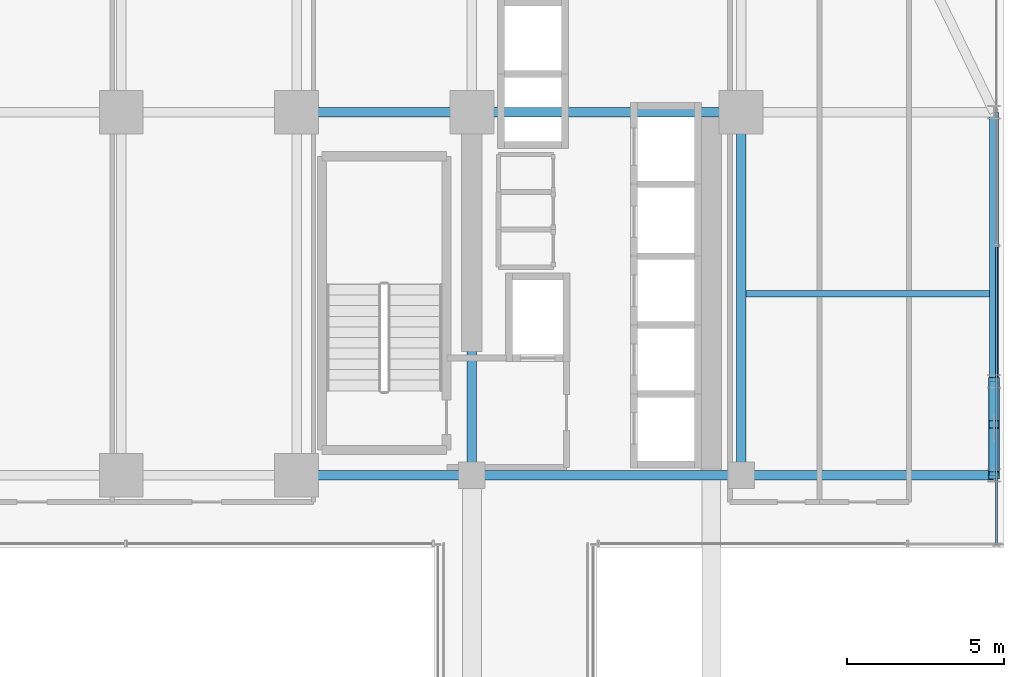
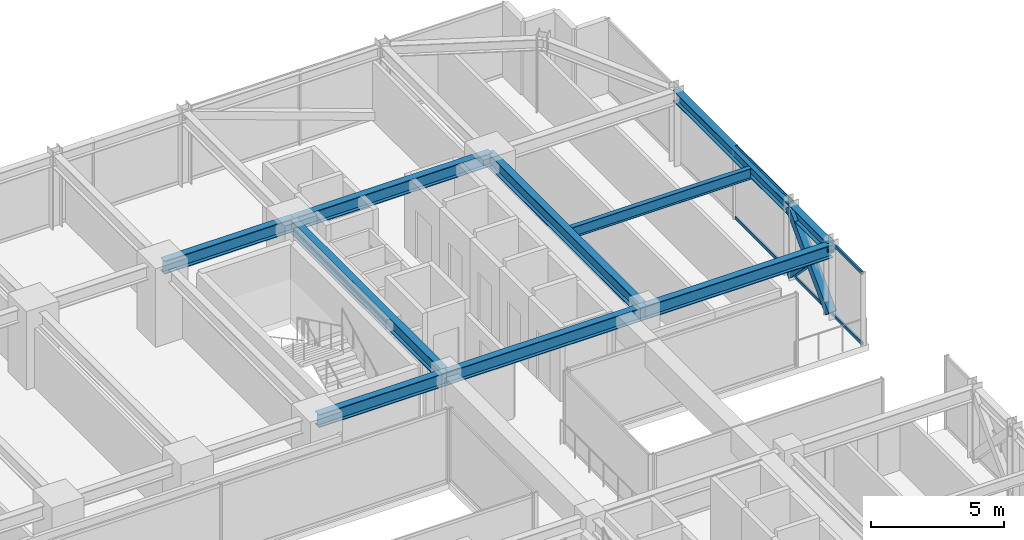
# One storey, part 26 of 37: 10 beams, 5 members, 1 element without a shape of its own.
"""IFC4 building model written with IfcOpenShell, lengths in metres."""

from ifc_helpers import new_model, si_unit, direction, frame, origin, origin_2d, place, context, subcontext, project, spatial, hollow_rectangle, i_section, extrude, source, transform, mapped, material, material_profile, profile_set, type_object, element, aggregate, save


model = new_model("IFC4")

# Units and contexts
model_context = context("Model", 3, precision=1e-05, world=origin(), true_north=direction((0.0, 1.0)))
body_context = subcontext(model_context, "Body", "Model", "MODEL_VIEW")
ifc_project = project(units=[si_unit("LENGTHUNIT", "METRE"), si_unit("AREAUNIT", "SQUARE_METRE"), si_unit("VOLUMEUNIT", "CUBIC_METRE"), si_unit("PLANEANGLEUNIT", "RADIAN"), si_unit("MASSUNIT", "GRAM", prefix="KILO")], contexts=[model_context])

# Site, building, storey
site_placement = place(None, origin())
site = spatial("IfcSite", under=ifc_project, at=site_placement, CompositionType="ELEMENT")
building_placement = place(site_placement, origin())
building = spatial("IfcBuilding", under=site, at=building_placement, Name="Nahalor Promenade Grand Hotel", CompositionType="ELEMENT")
storey_placement = place(building_placement, frame((0.0, 0.0, 65.25)))
storey = spatial("IfcBuildingStorey", under=building, at=storey_placement, Name="L15", CompositionType="ELEMENT", Elevation=65.25)

# Beams
ifc_material_1 = material(Name="Steel S355JR", Category="steel")
ifc_material_profile_1 = material_profile(ifc_material_1, i_section(OverallWidth=0.3, OverallDepth=0.6, WebThickness=0.0155, FlangeThickness=0.03, at=origin_2d()), Name="HEB 600")
ifc_profile_set_1 = profile_set([ifc_material_profile_1], Name="Steel S355JR")
beam_type_1 = type_object("IfcBeamType", Name="Beam-Girder-HEB600", PredefinedType="BEAM", material=ifc_profile_set_1)
shared_shape_1 = source(origin(), body_context, "Body", "SweptSolid", [
    extrude(i_section(OverallWidth=0.3, OverallDepth=0.6, WebThickness=0.0155, FlangeThickness=0.03, at=origin_2d()), origin(), (0.0, 0.0, 1.0), 8.60009765625),
])
for number, where, z_axis, x_axis, name in (
    (1, (8.39990234375, 5.39990234375, 3.070068359375), (1.0, 0.0, 0.0), (0.0, 1.0, 0.0), "BM-L15-GX-2-5"),
    (2, (8.39990234375, 17.0, 3.070068359375), (1.0, 0.0, 0.0), (0.0, 1.0, 0.0), "BM-L15-GX-3-5"),
):
    element("IfcBeam", number, at=place(storey_placement, frame(where, z_axis=z_axis, x_axis=x_axis)), inside=storey, type_object=beam_type_1, Name=name, PredefinedType="BEAM", context=body_context, shape_type="MappedRepresentation", body=[
        mapped(shared_shape_1, transform((0.0, 0.0, 0.0), scale=1.0)),
    ])
shared_shape_2 = source(origin(), body_context, "Body", "SweptSolid", [
    extrude(i_section(OverallWidth=0.3, OverallDepth=0.6, WebThickness=0.0155, FlangeThickness=0.03, at=origin_2d()), origin(), (0.0, 0.0, 1.0), 5.599853515625),
])
for number, where, z_axis, x_axis, name in (
    (3, (2.800048828125, 5.39990234375, 3.070068359375), (1.0, 0.0, 0.0), (0.0, 1.0, 0.0), "BM-L15-GX-2-4"),
    (4, (2.800048828125, 17.0, 3.070068359375), (1.0, 0.0, 0.0), (0.0, 1.0, 0.0), "BM-L15-GX-3-4"),
):
    element("IfcBeam", number, at=place(storey_placement, frame(where, z_axis=z_axis, x_axis=x_axis)), inside=storey, type_object=beam_type_1, Name=name, PredefinedType="BEAM", context=body_context, shape_type="MappedRepresentation", body=[
        mapped(shared_shape_2, transform((0.0, 0.0, 0.0), scale=1.0)),
    ])
shared_shape_3 = source(origin(), body_context, "Body", "SweptSolid", [
    extrude(i_section(OverallWidth=0.3, OverallDepth=0.6, WebThickness=0.0155, FlangeThickness=0.03, at=origin_2d()), origin(), (0.0, 0.0, 1.0), 11.60009765625),
])
for number, where, z_axis, x_axis, name in (
    (5, (8.39990234375, 5.39990234375, 3.070068359375), (0.0, 1.0, 0.0), (-1.0, 0.0, 0.0), "BM-L15-GY-4-3"),
    (6, (17.0, 5.39990234375, 3.070068359375), (0.0, 1.0, 0.0), (-1.0, 0.0, 0.0), "BM-L15-GY-5-3"),
):
    element("IfcBeam", number, at=place(storey_placement, frame(where, z_axis=z_axis, x_axis=x_axis)), inside=storey, type_object=beam_type_1, Name=name, PredefinedType="BEAM", context=body_context, shape_type="MappedRepresentation", body=[
        mapped(shared_shape_3, transform((0.0, 0.0, 0.0), scale=1.0)),
    ])
ifc_material_profile_2 = material_profile(ifc_material_1, i_section(OverallWidth=0.3, OverallDepth=0.5, WebThickness=0.0145, FlangeThickness=0.028, at=origin_2d()), Name="HEB 500")
ifc_profile_set_2 = profile_set([ifc_material_profile_2], Name="Steel S355JR")
beam_type_2 = type_object("IfcBeamType", Name="Beam-Spandrel-HEB500", PredefinedType="SPANDREL", material=ifc_profile_set_2)
shared_shape_4 = source(origin(), body_context, "Body", "SweptSolid", [
    extrude(i_section(OverallWidth=0.3, OverallDepth=0.5, WebThickness=0.0145, FlangeThickness=0.028, at=origin_2d()), origin(), (0.0, 0.0, 1.0), 8.60009765625),
])
beam_1_placement = place(storey_placement, frame((25.080078125, 8.39990234375, 3.1201171875), z_axis=(0.0, 1.0, 0.0), x_axis=(-1.0, 0.0, 0.0)))
element("IfcBeam", 7, at=beam_1_placement, inside=storey, type_object=beam_type_2, Name="BM-L15-SP-E-4", PredefinedType="SPANDREL", context=body_context, shape_type="MappedRepresentation", body=[
    mapped(shared_shape_4, transform((0.0, 0.0, 0.0), scale=1.0)),
])
shared_shape_5 = source(origin(), body_context, "Body", "SweptSolid", [
    extrude(i_section(OverallWidth=0.3, OverallDepth=0.5, WebThickness=0.0145, FlangeThickness=0.028, at=origin_2d()), origin(), (0.0, 0.0, 1.0), 3.0),
])
beam_2_placement = place(storey_placement, frame((25.080078125, 5.39990234375, 3.1201171875), z_axis=(0.0, 1.0, 0.0), x_axis=(-1.0, 0.0, 0.0)))
element("IfcBeam", 8, at=beam_2_placement, inside=storey, type_object=beam_type_2, Name="BM-L15-SP-E-3", PredefinedType="SPANDREL", context=body_context, shape_type="MappedRepresentation", body=[
    mapped(shared_shape_5, transform((0.0, 0.0, 0.0), scale=1.0)),
])
shared_shape_6 = source(origin(), body_context, "Body", "SweptSolid", [
    extrude(i_section(OverallWidth=0.3, OverallDepth=0.6, WebThickness=0.0155, FlangeThickness=0.03, at=origin_2d()), origin(), (0.0, 0.0, 1.0), 8.080078125),
])
beam_3_placement = place(storey_placement, frame((17.0, 5.39990234375, 3.070068359375), z_axis=(1.0, 0.0, 0.0), x_axis=(0.0, 1.0, 0.0)))
element("IfcBeam", 9, at=beam_3_placement, inside=storey, type_object=beam_type_1, Name="BM-L15-GX-2-6", PredefinedType="BEAM", context=body_context, shape_type="MappedRepresentation", body=[
    mapped(shared_shape_6, transform((0.0, 0.0, 0.0), scale=1.0)),
])
ifc_material_profile_3 = material_profile(ifc_material_1, i_section(OverallWidth=0.2, OverallDepth=0.5, WebThickness=0.0102, FlangeThickness=0.016, at=origin_2d()), Name="IPE 500")
ifc_profile_set_3 = profile_set([ifc_material_profile_3], Name="Steel S355JR")
beam_type_3 = type_object("IfcBeamType", Name="Beam-Joist-IPE500", PredefinedType="JOIST", material=ifc_profile_set_3)
shared_shape_7 = source(origin(), body_context, "Body", "SweptSolid", [
    extrude(i_section(OverallWidth=0.2, OverallDepth=0.5, WebThickness=0.0102, FlangeThickness=0.016, at=origin_2d()), origin(), (0.0, 0.0, 1.0), 7.780029296875),
])
beam_4_placement = place(storey_placement, frame((17.14990234375, 11.199951171875, 3.1201171875), z_axis=(1.0, 0.0, 0.0), x_axis=(0.0, 1.0, 0.0)))
element("IfcBeam", 10, at=beam_4_placement, inside=storey, type_object=beam_type_3, Name="BM-L15-JSE-1-2", PredefinedType="JOIST", context=body_context, shape_type="MappedRepresentation", body=[
    mapped(shared_shape_7, transform((0.0, 0.0, 0.0), scale=1.0)),
])

# Members
ifc_material_profile_4 = material_profile(ifc_material_1, hollow_rectangle(XDim=0.35, YDim=0.35, WallThickness=0.02, at=origin_2d()), Name="SHS 350x350x20")
ifc_profile_set_4 = profile_set([ifc_material_profile_4], Name="Steel S355JR")
member_type_1 = type_object("IfcMemberType", Name="Mem-VoidBrace-SHS350", PredefinedType="BRACE", material=ifc_profile_set_4)
shared_shape_8 = source(origin(), body_context, "Body", "SweptSolid", [
    extrude(hollow_rectangle(XDim=0.35, YDim=0.35, WallThickness=0.02, at=origin_2d()), origin(), (0.0, 0.0, 1.0), 4.29248046875),
])
member_1_placement = place(storey_placement, frame((25.080078125, 5.39990234375, 0.14990234375), z_axis=(0.0, 0.698897904453, 0.715221447631), x_axis=(-1.0, 0.0, 0.0)))
element("IfcMember", 11, at=member_1_placement, inside=storey, type_object=member_type_1, Name="EXO-L15-VX1-E1", PredefinedType="BRACE", context=body_context, shape_type="MappedRepresentation", body=[
    mapped(shared_shape_8, transform((0.0, 0.0, 0.0), scale=1.0)),
])
shared_shape_9 = source(origin(), body_context, "Body", "SweptSolid", [
    extrude(hollow_rectangle(XDim=0.35, YDim=0.35, WallThickness=0.02, at=origin_2d()), origin(), (0.0, 0.0, 1.0), 1.959228515625),
])
for number, where, z_axis, x_axis, name in (
    (12, (25.080078125, 8.39990234375, 0.14990234375), (0.0, -0.698834435327, 0.715283462692), (1.0, 0.0, 0.0), "EXO-L15-VX2-E1A"),
    (13, (25.080078125, 6.769287109375, 1.81884765625), (0.0, -0.698960471031, 0.715160303663), (1.0, 0.0, 0.0), "EXO-L15-VX2-E1B"),
):
    element("IfcMember", number, at=place(storey_placement, frame(where, z_axis=z_axis, x_axis=x_axis)), inside=storey, type_object=member_type_1, Name=name, PredefinedType="BRACE", context=body_context, shape_type="MappedRepresentation", body=[
        mapped(shared_shape_9, transform((0.0, 0.0, 0.0), scale=1.0)),
    ])

# Curtain wall, members
ifc_material_2 = material(Name="Anodised Bronze Aluminium EN AW-6063 T6", Category="aluminium")
curtain_wall_type = type_object("IfcCurtainWallType", Name="CW3 Elliptical-Void Collar Unitised Curtain Wall", PredefinedType="USERDEFINED", material=ifc_material_2)
curtain_wall_placement = place(storey_placement, origin())
curtain_wall = element("IfcCurtainWall", 14, at=curtain_wall_placement, inside=storey, type_object=curtain_wall_type, Name="L15 Curtain Wall CW-L15-E-2", ObjectType="UNITISED_CURTAIN_WALL", PredefinedType="USERDEFINED")
ifc_material_profile_5 = material_profile(ifc_material_2, hollow_rectangle(XDim=0.07, YDim=0.14, WallThickness=0.004, at=origin_2d()), Name="CWT 70x140x4")
ifc_profile_set_5 = profile_set([ifc_material_profile_5], Name="Anodised Bronze Aluminium EN AW-6063 T6")
member_type_2 = type_object("IfcMemberType", Name="CWT3 Void Collar Transom 70x140", PredefinedType="USERDEFINED", material=ifc_profile_set_5)
shared_shape_10 = source(origin(), body_context, "Body", "SweptSolid", [
    extrude(hollow_rectangle(XDim=0.07, YDim=0.14, WallThickness=0.004, at=origin_2d()), origin(), (0.0, 0.0, 1.0), 9.525146484375),
])
member_2_placement = place(storey_placement, frame((25.159912109375, 3.169921875, 0.070068359375), z_axis=(0.0, 1.0, 0.0), x_axis=(-1.0, 0.0, 0.0)))
member_2 = element("IfcMember", 15, at=member_2_placement, type_object=member_type_2, Name="CW-L15-E-2 Transom 0-0", ObjectType="TRANSOM", PredefinedType="USERDEFINED", context=body_context, shape_type="MappedRepresentation", body=[
    mapped(shared_shape_10, transform((0.0, 0.0, 0.0), scale=1.0)),
])
member_3_placement = place(storey_placement, frame((25.159912109375, 3.169921875, 3.300048828125), z_axis=(0.0, 1.0, 0.0), x_axis=(-1.0, 0.0, 0.0)))
member_3 = element("IfcMember", 16, at=member_3_placement, type_object=member_type_2, Name="CW-L15-E-2 Transom 0-1", ObjectType="TRANSOM", PredefinedType="USERDEFINED", context=body_context, shape_type="MappedRepresentation", body=[
    mapped(shared_shape_10, transform((0.0, 0.0, 0.0), scale=1.0)),
])
aggregate(curtain_wall, [member_2, member_3])

save(model, "model.ifc")
